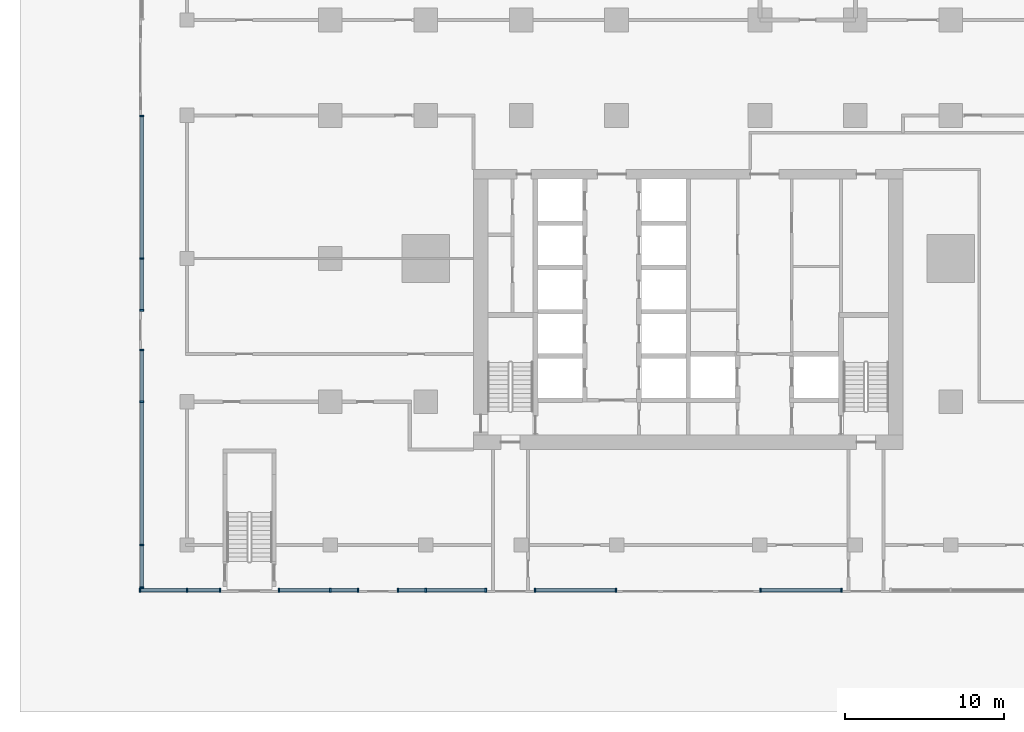
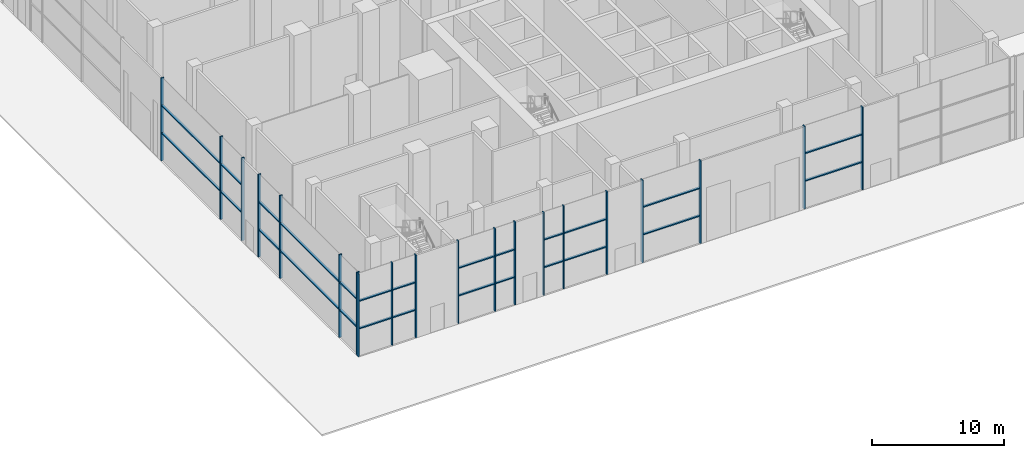
# One storey, part 2 of 29: 46 members, 7 elements without a shape of their own.
"""IFC4 building model written with IfcOpenShell, lengths in metres."""

from ifc_helpers import new_model, si_unit, direction, frame, origin, origin_2d, place, context, subcontext, project, spatial, rectangle, extrude, material, material_profile, profile_set, type_object, element, aggregate, save


model = new_model("IFC4")

# Units and contexts
model_context = context("Model", 3, precision=1e-05, world=origin(), true_north=direction((0.0, 1.0)))
body_context = subcontext(model_context, "Body", "Model", "MODEL_VIEW")
ifc_project = project(units=[si_unit("LENGTHUNIT", "METRE"), si_unit("AREAUNIT", "SQUARE_METRE"), si_unit("VOLUMEUNIT", "CUBIC_METRE"), si_unit("PLANEANGLEUNIT", "RADIAN"), si_unit("MASSUNIT", "GRAM", prefix="KILO")], contexts=[model_context])

# Site, building, storey
site_placement = place(None, origin())
site = spatial("IfcSite", under=ifc_project, at=site_placement, CompositionType="ELEMENT")
building_placement = place(site_placement, origin())
building = spatial("IfcBuilding", under=site, at=building_placement, Name="Finial Court Residences", CompositionType="ELEMENT")
storey_placement = place(building_placement, origin())
storey = spatial("IfcBuildingStorey", under=building, at=storey_placement, Name="L00", CompositionType="ELEMENT", Elevation=0.0)

# Curtain wall, members
ifc_material = material(Name="Bronze anodised aluminium", Category="aluminium")
curtain_wall_type = type_object("IfcCurtainWallType", Name="Podium shopfront", PredefinedType="NOTDEFINED", material=ifc_material)
curtain_wall_1_placement = place(storey_placement, origin())
curtain_wall_1 = element("IfcCurtainWall", 1, at=curtain_wall_1_placement, inside=storey, type_object=curtain_wall_type, Name="E-L00-CW-S17", PredefinedType="NOTDEFINED")
ifc_material_profile_1 = material_profile(ifc_material, rectangle(XDim=0.25, YDim=0.10009765625, at=origin_2d()), Name="CW4 mullion 100 x 250")
ifc_profile_set_1 = profile_set([ifc_material_profile_1], Name="Bronze anodised aluminium")
member_type_1 = type_object("IfcMemberType", Name="CW4 mullion 100 x 250", PredefinedType="MULLION", material=ifc_profile_set_1)
member_1_placement = place(storey_placement, frame((-34.449951171875, -34.35009765625, 0.0), z_axis=(0.0, 0.0, 1.0), x_axis=(0.0, 1.0, 0.0)))
member_1 = element("IfcMember", 2, at=member_1_placement, type_object=member_type_1, Name="CW4 mullion 1", PredefinedType="MULLION", context=body_context, shape_type="SweptSolid", body=[
    extrude(rectangle(XDim=0.25, YDim=0.10009765625, at=origin_2d()), origin(), (0.0, 0.0, 1.0), 7.64990234375),
])
member_2_placement = place(storey_placement, frame((-31.5, -34.35009765625, 0.0), z_axis=(0.0, 0.0, 1.0), x_axis=(0.0, 1.0, 0.0)))
member_2 = element("IfcMember", 3, at=member_2_placement, type_object=member_type_1, Name="CW4 mullion 2", PredefinedType="MULLION", context=body_context, shape_type="SweptSolid", body=[
    extrude(rectangle(XDim=0.25, YDim=0.10009765625, at=origin_2d()), origin(), (0.0, 0.0, 1.0), 7.64990234375),
])
member_3_placement = place(storey_placement, frame((-29.425048828125, -34.35009765625, 0.0), z_axis=(0.0, 0.0, 1.0), x_axis=(0.0, 1.0, 0.0)))
member_3 = element("IfcMember", 4, at=member_3_placement, type_object=member_type_1, Name="CW4 mullion 3", PredefinedType="MULLION", context=body_context, shape_type="SweptSolid", body=[
    extrude(rectangle(XDim=0.25, YDim=0.10009765625, at=origin_2d()), origin(), (0.0, 0.0, 1.0), 7.64990234375),
])

curtain_wall_2_placement = place(storey_placement, origin())
curtain_wall_2 = element("IfcCurtainWall", 5, at=curtain_wall_2_placement, inside=storey, type_object=curtain_wall_type, Name="E-L00-CW-S18", PredefinedType="NOTDEFINED")
member_4_placement = place(storey_placement, frame((-25.72509765625, -34.35009765625, 0.0), z_axis=(0.0, 0.0, 1.0), x_axis=(0.0, 1.0, 0.0)))
member_4 = element("IfcMember", 6, at=member_4_placement, type_object=member_type_1, Name="CW4 mullion 1", PredefinedType="MULLION", context=body_context, shape_type="SweptSolid", body=[
    extrude(rectangle(XDim=0.25, YDim=0.10009765625, at=origin_2d()), origin(), (0.0, 0.0, 1.0), 7.64990234375),
])
member_5_placement = place(storey_placement, frame((-22.5, -34.35009765625, 0.0), z_axis=(0.0, 0.0, 1.0), x_axis=(0.0, 1.0, 0.0)))
member_5 = element("IfcMember", 7, at=member_5_placement, type_object=member_type_1, Name="CW4 mullion 2", PredefinedType="MULLION", context=body_context, shape_type="SweptSolid", body=[
    extrude(rectangle(XDim=0.25, YDim=0.10009765625, at=origin_2d()), origin(), (0.0, 0.0, 1.0), 7.64990234375),
])
member_6_placement = place(storey_placement, frame((-20.75, -34.35009765625, 0.0), z_axis=(0.0, 0.0, 1.0), x_axis=(0.0, 1.0, 0.0)))
member_6 = element("IfcMember", 8, at=member_6_placement, type_object=member_type_1, Name="CW4 mullion 3", PredefinedType="MULLION", context=body_context, shape_type="SweptSolid", body=[
    extrude(rectangle(XDim=0.25, YDim=0.10009765625, at=origin_2d()), origin(), (0.0, 0.0, 1.0), 7.64990234375),
])

curtain_wall_3_placement = place(storey_placement, origin())
curtain_wall_3 = element("IfcCurtainWall", 9, at=curtain_wall_3_placement, inside=storey, type_object=curtain_wall_type, Name="E-L00-CW-S19", PredefinedType="NOTDEFINED")
member_7_placement = place(storey_placement, frame((-18.25, -34.35009765625, 0.0), z_axis=(0.0, 0.0, 1.0), x_axis=(0.0, 1.0, 0.0)))
member_7 = element("IfcMember", 10, at=member_7_placement, type_object=member_type_1, Name="CW4 mullion 1", PredefinedType="MULLION", context=body_context, shape_type="SweptSolid", body=[
    extrude(rectangle(XDim=0.25, YDim=0.10009765625, at=origin_2d()), origin(), (0.0, 0.0, 1.0), 7.64990234375),
])
member_8_placement = place(storey_placement, frame((-16.5, -34.35009765625, 0.0), z_axis=(0.0, 0.0, 1.0), x_axis=(0.0, 1.0, 0.0)))
member_8 = element("IfcMember", 11, at=member_8_placement, type_object=member_type_1, Name="CW4 mullion 2", PredefinedType="MULLION", context=body_context, shape_type="SweptSolid", body=[
    extrude(rectangle(XDim=0.25, YDim=0.10009765625, at=origin_2d()), origin(), (0.0, 0.0, 1.0), 7.64990234375),
])
member_9_placement = place(storey_placement, frame((-12.72509765625, -34.35009765625, 0.0), z_axis=(0.0, 0.0, 1.0), x_axis=(0.0, 1.0, 0.0)))
member_9 = element("IfcMember", 12, at=member_9_placement, type_object=member_type_1, Name="CW4 mullion 3", PredefinedType="MULLION", context=body_context, shape_type="SweptSolid", body=[
    extrude(rectangle(XDim=0.25, YDim=0.10009765625, at=origin_2d()), origin(), (0.0, 0.0, 1.0), 7.64990234375),
])

curtain_wall_4_placement = place(storey_placement, origin())
curtain_wall_4 = element("IfcCurtainWall", 13, at=curtain_wall_4_placement, inside=storey, type_object=curtain_wall_type, Name="E-L00-CW-S20", PredefinedType="NOTDEFINED")
member_10_placement = place(storey_placement, frame((-9.625, -34.35009765625, 0.0), z_axis=(0.0, 0.0, 1.0), x_axis=(0.0, 1.0, 0.0)))
member_10 = element("IfcMember", 14, at=member_10_placement, type_object=member_type_1, Name="CW4 mullion 1", PredefinedType="MULLION", context=body_context, shape_type="SweptSolid", body=[
    extrude(rectangle(XDim=0.25, YDim=0.10009765625, at=origin_2d()), origin(), (0.0, 0.0, 1.0), 7.64990234375),
])
member_11_placement = place(storey_placement, frame((-4.550048828125, -34.35009765625, 0.0), z_axis=(0.0, 0.0, 1.0), x_axis=(0.0, 1.0, 0.0)))
member_11 = element("IfcMember", 15, at=member_11_placement, type_object=member_type_1, Name="CW4 mullion 2", PredefinedType="MULLION", context=body_context, shape_type="SweptSolid", body=[
    extrude(rectangle(XDim=0.25, YDim=0.10009765625, at=origin_2d()), origin(), (0.0, 0.0, 1.0), 7.64990234375),
])

curtain_wall_5_placement = place(storey_placement, origin())
curtain_wall_5 = element("IfcCurtainWall", 16, at=curtain_wall_5_placement, inside=storey, type_object=curtain_wall_type, Name="E-L00-CW-S21", PredefinedType="NOTDEFINED")
member_12_placement = place(storey_placement, frame((4.550048828125, -34.35009765625, 0.0), z_axis=(0.0, 0.0, 1.0), x_axis=(0.0, 1.0, 0.0)))
member_12 = element("IfcMember", 17, at=member_12_placement, type_object=member_type_1, Name="CW4 mullion 1", PredefinedType="MULLION", context=body_context, shape_type="SweptSolid", body=[
    extrude(rectangle(XDim=0.25, YDim=0.10009765625, at=origin_2d()), origin(), (0.0, 0.0, 1.0), 7.64990234375),
])
member_13_placement = place(storey_placement, frame((9.625, -34.35009765625, 0.0), z_axis=(0.0, 0.0, 1.0), x_axis=(0.0, 1.0, 0.0)))
member_13 = element("IfcMember", 18, at=member_13_placement, type_object=member_type_1, Name="CW4 mullion 2", PredefinedType="MULLION", context=body_context, shape_type="SweptSolid", body=[
    extrude(rectangle(XDim=0.25, YDim=0.10009765625, at=origin_2d()), origin(), (0.0, 0.0, 1.0), 7.64990234375),
])

curtain_wall_6_placement = place(storey_placement, origin())
curtain_wall_6 = element("IfcCurtainWall", 19, at=curtain_wall_6_placement, inside=storey, type_object=curtain_wall_type, Name="E-L00-CW-W27", PredefinedType="NOTDEFINED")
member_14_placement = place(storey_placement, frame((-34.35009765625, -34.175048828125, 0.0), z_axis=(0.0, 0.0, 1.0), x_axis=(-1.0, 0.0, 0.0)))
member_14 = element("IfcMember", 20, at=member_14_placement, type_object=member_type_1, Name="CW4 mullion 1", PredefinedType="MULLION", context=body_context, shape_type="SweptSolid", body=[
    extrude(rectangle(XDim=0.25, YDim=0.10009765625, at=origin_2d()), origin(), (0.0, 0.0, 1.0), 7.64990234375),
])
member_15_placement = place(storey_placement, frame((-34.35009765625, -31.5, 0.0), z_axis=(0.0, 0.0, 1.0), x_axis=(-1.0, 0.0, 0.0)))
member_15 = element("IfcMember", 21, at=member_15_placement, type_object=member_type_1, Name="CW4 mullion 2", PredefinedType="MULLION", context=body_context, shape_type="SweptSolid", body=[
    extrude(rectangle(XDim=0.25, YDim=0.10009765625, at=origin_2d()), origin(), (0.0, 0.0, 1.0), 7.64990234375),
])
member_16_placement = place(storey_placement, frame((-34.35009765625, -22.5, 0.0), z_axis=(0.0, 0.0, 1.0), x_axis=(-1.0, 0.0, 0.0)))
member_16 = element("IfcMember", 22, at=member_16_placement, type_object=member_type_1, Name="CW4 mullion 3", PredefinedType="MULLION", context=body_context, shape_type="SweptSolid", body=[
    extrude(rectangle(XDim=0.25, YDim=0.10009765625, at=origin_2d()), origin(), (0.0, 0.0, 1.0), 7.64990234375),
])
member_17_placement = place(storey_placement, frame((-34.35009765625, -19.25, 0.0), z_axis=(0.0, 0.0, 1.0), x_axis=(-1.0, 0.0, 0.0)))
member_17 = element("IfcMember", 23, at=member_17_placement, type_object=member_type_1, Name="CW4 mullion 4", PredefinedType="MULLION", context=body_context, shape_type="SweptSolid", body=[
    extrude(rectangle(XDim=0.25, YDim=0.10009765625, at=origin_2d()), origin(), (0.0, 0.0, 1.0), 7.64990234375),
])

curtain_wall_7_placement = place(storey_placement, origin())
curtain_wall_7 = element("IfcCurtainWall", 24, at=curtain_wall_7_placement, inside=storey, type_object=curtain_wall_type, Name="E-L00-CW-W28", PredefinedType="NOTDEFINED")
member_18_placement = place(storey_placement, frame((-34.35009765625, -16.75, 0.0), z_axis=(0.0, 0.0, 1.0), x_axis=(-1.0, 0.0, 0.0)))
member_18 = element("IfcMember", 25, at=member_18_placement, type_object=member_type_1, Name="CW4 mullion 1", PredefinedType="MULLION", context=body_context, shape_type="SweptSolid", body=[
    extrude(rectangle(XDim=0.25, YDim=0.10009765625, at=origin_2d()), origin(), (0.0, 0.0, 1.0), 7.64990234375),
])
member_19_placement = place(storey_placement, frame((-34.35009765625, -13.5, 0.0), z_axis=(0.0, 0.0, 1.0), x_axis=(-1.0, 0.0, 0.0)))
member_19 = element("IfcMember", 26, at=member_19_placement, type_object=member_type_1, Name="CW4 mullion 2", PredefinedType="MULLION", context=body_context, shape_type="SweptSolid", body=[
    extrude(rectangle(XDim=0.25, YDim=0.10009765625, at=origin_2d()), origin(), (0.0, 0.0, 1.0), 7.64990234375),
])
member_20_placement = place(storey_placement, frame((-34.35009765625, -4.550048828125, 0.0), z_axis=(0.0, 0.0, 1.0), x_axis=(-1.0, 0.0, 0.0)))
member_20 = element("IfcMember", 27, at=member_20_placement, type_object=member_type_1, Name="CW4 mullion 3", PredefinedType="MULLION", context=body_context, shape_type="SweptSolid", body=[
    extrude(rectangle(XDim=0.25, YDim=0.10009765625, at=origin_2d()), origin(), (0.0, 0.0, 1.0), 7.64990234375),
])

# Member
ifc_material_profile_2 = material_profile(ifc_material, rectangle(XDim=0.199951171875, YDim=0.10009765625, at=origin_2d()), Name="CW4 transom 100 x 200")
ifc_profile_set_2 = profile_set([ifc_material_profile_2], Name="Bronze anodised aluminium")
member_type_2 = type_object("IfcMemberType", Name="CW4 transom 100 x 200", PredefinedType="USERDEFINED", material=ifc_profile_set_2)
member_21_placement = place(storey_placement, frame((-34.39990234375, -34.35009765625, 2.550048828125), z_axis=(1.0, 0.0, 0.0), x_axis=(0.0, 1.0, 0.0)))
member_21 = element("IfcMember", 28, at=member_21_placement, type_object=member_type_2, Name="CW4 transom 1.1", ObjectType="TRANSOM", PredefinedType="USERDEFINED", context=body_context, shape_type="SweptSolid", body=[
    extrude(rectangle(XDim=0.199951171875, YDim=0.10009765625, at=origin_2d()), origin(), (0.0, 0.0, 1.0), 2.849853515625),
])

member_22_placement = place(storey_placement, frame((-34.39990234375, -34.35009765625, 5.10009765625), z_axis=(1.0, 0.0, 0.0), x_axis=(0.0, 1.0, 0.0)))
member_22 = element("IfcMember", 29, at=member_22_placement, type_object=member_type_2, Name="CW4 transom 1.2", ObjectType="TRANSOM", PredefinedType="USERDEFINED", context=body_context, shape_type="SweptSolid", body=[
    extrude(rectangle(XDim=0.199951171875, YDim=0.10009765625, at=origin_2d()), origin(), (0.0, 0.0, 1.0), 2.849853515625),
])

member_23_placement = place(storey_placement, frame((-31.449951171875, -34.35009765625, 2.550048828125), z_axis=(1.0, 0.0, 0.0), x_axis=(0.0, 1.0, 0.0)))
member_23 = element("IfcMember", 30, at=member_23_placement, type_object=member_type_2, Name="CW4 transom 2.1", ObjectType="TRANSOM", PredefinedType="USERDEFINED", context=body_context, shape_type="SweptSolid", body=[
    extrude(rectangle(XDim=0.199951171875, YDim=0.10009765625, at=origin_2d()), origin(), (0.0, 0.0, 1.0), 1.974853515625),
])

member_24_placement = place(storey_placement, frame((-31.449951171875, -34.35009765625, 5.10009765625), z_axis=(1.0, 0.0, 0.0), x_axis=(0.0, 1.0, 0.0)))
member_24 = element("IfcMember", 31, at=member_24_placement, type_object=member_type_2, Name="CW4 transom 2.2", ObjectType="TRANSOM", PredefinedType="USERDEFINED", context=body_context, shape_type="SweptSolid", body=[
    extrude(rectangle(XDim=0.199951171875, YDim=0.10009765625, at=origin_2d()), origin(), (0.0, 0.0, 1.0), 1.974853515625),
])

aggregate(curtain_wall_1, [member_1, member_2, member_3, member_21, member_22, member_23, member_24])

member_25_placement = place(storey_placement, frame((-25.675048828125, -34.35009765625, 2.550048828125), z_axis=(1.0, 0.0, 0.0), x_axis=(0.0, 1.0, 0.0)))
member_25 = element("IfcMember", 32, at=member_25_placement, type_object=member_type_2, Name="CW4 transom 1.1", ObjectType="TRANSOM", PredefinedType="USERDEFINED", context=body_context, shape_type="SweptSolid", body=[
    extrude(rectangle(XDim=0.199951171875, YDim=0.10009765625, at=origin_2d()), origin(), (0.0, 0.0, 1.0), 3.125),
])

member_26_placement = place(storey_placement, frame((-25.675048828125, -34.35009765625, 5.10009765625), z_axis=(1.0, 0.0, 0.0), x_axis=(0.0, 1.0, 0.0)))
member_26 = element("IfcMember", 33, at=member_26_placement, type_object=member_type_2, Name="CW4 transom 1.2", ObjectType="TRANSOM", PredefinedType="USERDEFINED", context=body_context, shape_type="SweptSolid", body=[
    extrude(rectangle(XDim=0.199951171875, YDim=0.10009765625, at=origin_2d()), origin(), (0.0, 0.0, 1.0), 3.125),
])

member_27_placement = place(storey_placement, frame((-22.449951171875, -34.35009765625, 2.550048828125), z_axis=(1.0, 0.0, 0.0), x_axis=(0.0, 1.0, 0.0)))
member_27 = element("IfcMember", 34, at=member_27_placement, type_object=member_type_2, Name="CW4 transom 2.1", ObjectType="TRANSOM", PredefinedType="USERDEFINED", context=body_context, shape_type="SweptSolid", body=[
    extrude(rectangle(XDim=0.199951171875, YDim=0.10009765625, at=origin_2d()), origin(), (0.0, 0.0, 1.0), 1.64990234375),
])

member_28_placement = place(storey_placement, frame((-22.449951171875, -34.35009765625, 5.10009765625), z_axis=(1.0, 0.0, 0.0), x_axis=(0.0, 1.0, 0.0)))
member_28 = element("IfcMember", 35, at=member_28_placement, type_object=member_type_2, Name="CW4 transom 2.2", ObjectType="TRANSOM", PredefinedType="USERDEFINED", context=body_context, shape_type="SweptSolid", body=[
    extrude(rectangle(XDim=0.199951171875, YDim=0.10009765625, at=origin_2d()), origin(), (0.0, 0.0, 1.0), 1.64990234375),
])

aggregate(curtain_wall_2, [member_4, member_5, member_6, member_25, member_26, member_27, member_28])

member_29_placement = place(storey_placement, frame((-18.199951171875, -34.35009765625, 2.550048828125), z_axis=(1.0, 0.0, 0.0), x_axis=(0.0, 1.0, 0.0)))
member_29 = element("IfcMember", 36, at=member_29_placement, type_object=member_type_2, Name="CW4 transom 1.1", ObjectType="TRANSOM", PredefinedType="USERDEFINED", context=body_context, shape_type="SweptSolid", body=[
    extrude(rectangle(XDim=0.199951171875, YDim=0.10009765625, at=origin_2d()), origin(), (0.0, 0.0, 1.0), 1.64990234375),
])

member_30_placement = place(storey_placement, frame((-18.199951171875, -34.35009765625, 5.10009765625), z_axis=(1.0, 0.0, 0.0), x_axis=(0.0, 1.0, 0.0)))
member_30 = element("IfcMember", 37, at=member_30_placement, type_object=member_type_2, Name="CW4 transom 1.2", ObjectType="TRANSOM", PredefinedType="USERDEFINED", context=body_context, shape_type="SweptSolid", body=[
    extrude(rectangle(XDim=0.199951171875, YDim=0.10009765625, at=origin_2d()), origin(), (0.0, 0.0, 1.0), 1.64990234375),
])

member_31_placement = place(storey_placement, frame((-16.449951171875, -34.35009765625, 2.550048828125), z_axis=(1.0, 0.0, 0.0), x_axis=(0.0, 1.0, 0.0)))
member_31 = element("IfcMember", 38, at=member_31_placement, type_object=member_type_2, Name="CW4 transom 2.1", ObjectType="TRANSOM", PredefinedType="USERDEFINED", context=body_context, shape_type="SweptSolid", body=[
    extrude(rectangle(XDim=0.199951171875, YDim=0.10009765625, at=origin_2d()), origin(), (0.0, 0.0, 1.0), 3.675048828125),
])

member_32_placement = place(storey_placement, frame((-16.449951171875, -34.35009765625, 5.10009765625), z_axis=(1.0, 0.0, 0.0), x_axis=(0.0, 1.0, 0.0)))
member_32 = element("IfcMember", 39, at=member_32_placement, type_object=member_type_2, Name="CW4 transom 2.2", ObjectType="TRANSOM", PredefinedType="USERDEFINED", context=body_context, shape_type="SweptSolid", body=[
    extrude(rectangle(XDim=0.199951171875, YDim=0.10009765625, at=origin_2d()), origin(), (0.0, 0.0, 1.0), 3.675048828125),
])

aggregate(curtain_wall_3, [member_7, member_8, member_9, member_29, member_30, member_31, member_32])

member_33_placement = place(storey_placement, frame((-9.574951171875, -34.35009765625, 2.550048828125), z_axis=(1.0, 0.0, 0.0), x_axis=(0.0, 1.0, 0.0)))
member_33 = element("IfcMember", 40, at=member_33_placement, type_object=member_type_2, Name="CW4 transom 1.1", ObjectType="TRANSOM", PredefinedType="USERDEFINED", context=body_context, shape_type="SweptSolid", body=[
    extrude(rectangle(XDim=0.199951171875, YDim=0.10009765625, at=origin_2d()), origin(), (0.0, 0.0, 1.0), 4.974853515625),
])

member_34_placement = place(storey_placement, frame((-9.574951171875, -34.35009765625, 5.10009765625), z_axis=(1.0, 0.0, 0.0), x_axis=(0.0, 1.0, 0.0)))
member_34 = element("IfcMember", 41, at=member_34_placement, type_object=member_type_2, Name="CW4 transom 1.2", ObjectType="TRANSOM", PredefinedType="USERDEFINED", context=body_context, shape_type="SweptSolid", body=[
    extrude(rectangle(XDim=0.199951171875, YDim=0.10009765625, at=origin_2d()), origin(), (0.0, 0.0, 1.0), 4.974853515625),
])

aggregate(curtain_wall_4, [member_10, member_11, member_33, member_34])

member_35_placement = place(storey_placement, frame((4.60009765625, -34.35009765625, 2.550048828125), z_axis=(1.0, 0.0, 0.0), x_axis=(0.0, 1.0, 0.0)))
member_35 = element("IfcMember", 42, at=member_35_placement, type_object=member_type_2, Name="CW4 transom 1.1", ObjectType="TRANSOM", PredefinedType="USERDEFINED", context=body_context, shape_type="SweptSolid", body=[
    extrude(rectangle(XDim=0.199951171875, YDim=0.10009765625, at=origin_2d()), origin(), (0.0, 0.0, 1.0), 4.974853515625),
])

member_36_placement = place(storey_placement, frame((4.60009765625, -34.35009765625, 5.10009765625), z_axis=(1.0, 0.0, 0.0), x_axis=(0.0, 1.0, 0.0)))
member_36 = element("IfcMember", 43, at=member_36_placement, type_object=member_type_2, Name="CW4 transom 1.2", ObjectType="TRANSOM", PredefinedType="USERDEFINED", context=body_context, shape_type="SweptSolid", body=[
    extrude(rectangle(XDim=0.199951171875, YDim=0.10009765625, at=origin_2d()), origin(), (0.0, 0.0, 1.0), 4.974853515625),
])

aggregate(curtain_wall_5, [member_12, member_13, member_35, member_36])

member_37_placement = place(storey_placement, frame((-34.35009765625, -34.125, 2.550048828125), z_axis=(0.0, 1.0, 0.0), x_axis=(-1.0, 0.0, 0.0)))
member_37 = element("IfcMember", 44, at=member_37_placement, type_object=member_type_2, Name="CW4 transom 1.1", ObjectType="TRANSOM", PredefinedType="USERDEFINED", context=body_context, shape_type="SweptSolid", body=[
    extrude(rectangle(XDim=0.199951171875, YDim=0.10009765625, at=origin_2d()), origin(), (0.0, 0.0, 1.0), 2.574951171875),
])

member_38_placement = place(storey_placement, frame((-34.35009765625, -34.125, 5.10009765625), z_axis=(0.0, 1.0, 0.0), x_axis=(-1.0, 0.0, 0.0)))
member_38 = element("IfcMember", 45, at=member_38_placement, type_object=member_type_2, Name="CW4 transom 1.2", ObjectType="TRANSOM", PredefinedType="USERDEFINED", context=body_context, shape_type="SweptSolid", body=[
    extrude(rectangle(XDim=0.199951171875, YDim=0.10009765625, at=origin_2d()), origin(), (0.0, 0.0, 1.0), 2.574951171875),
])

member_39_placement = place(storey_placement, frame((-34.35009765625, -31.449951171875, 2.550048828125), z_axis=(0.0, 1.0, 0.0), x_axis=(-1.0, 0.0, 0.0)))
member_39 = element("IfcMember", 46, at=member_39_placement, type_object=member_type_2, Name="CW4 transom 2.1", ObjectType="TRANSOM", PredefinedType="USERDEFINED", context=body_context, shape_type="SweptSolid", body=[
    extrude(rectangle(XDim=0.199951171875, YDim=0.10009765625, at=origin_2d()), origin(), (0.0, 0.0, 1.0), 8.89990234375),
])

member_40_placement = place(storey_placement, frame((-34.35009765625, -31.449951171875, 5.10009765625), z_axis=(0.0, 1.0, 0.0), x_axis=(-1.0, 0.0, 0.0)))
member_40 = element("IfcMember", 47, at=member_40_placement, type_object=member_type_2, Name="CW4 transom 2.2", ObjectType="TRANSOM", PredefinedType="USERDEFINED", context=body_context, shape_type="SweptSolid", body=[
    extrude(rectangle(XDim=0.199951171875, YDim=0.10009765625, at=origin_2d()), origin(), (0.0, 0.0, 1.0), 8.89990234375),
])

member_41_placement = place(storey_placement, frame((-34.35009765625, -22.449951171875, 2.550048828125), z_axis=(0.0, 1.0, 0.0), x_axis=(-1.0, 0.0, 0.0)))
member_41 = element("IfcMember", 48, at=member_41_placement, type_object=member_type_2, Name="CW4 transom 3.1", ObjectType="TRANSOM", PredefinedType="USERDEFINED", context=body_context, shape_type="SweptSolid", body=[
    extrude(rectangle(XDim=0.199951171875, YDim=0.10009765625, at=origin_2d()), origin(), (0.0, 0.0, 1.0), 3.14990234375),
])

member_42_placement = place(storey_placement, frame((-34.35009765625, -22.449951171875, 5.10009765625), z_axis=(0.0, 1.0, 0.0), x_axis=(-1.0, 0.0, 0.0)))
member_42 = element("IfcMember", 49, at=member_42_placement, type_object=member_type_2, Name="CW4 transom 3.2", ObjectType="TRANSOM", PredefinedType="USERDEFINED", context=body_context, shape_type="SweptSolid", body=[
    extrude(rectangle(XDim=0.199951171875, YDim=0.10009765625, at=origin_2d()), origin(), (0.0, 0.0, 1.0), 3.14990234375),
])

aggregate(curtain_wall_6, [member_14, member_15, member_16, member_17, member_37, member_38, member_39, member_40, member_41, member_42])

member_43_placement = place(storey_placement, frame((-34.35009765625, -16.699951171875, 2.550048828125), z_axis=(0.0, 1.0, 0.0), x_axis=(-1.0, 0.0, 0.0)))
member_43 = element("IfcMember", 50, at=member_43_placement, type_object=member_type_2, Name="CW4 transom 1.1", ObjectType="TRANSOM", PredefinedType="USERDEFINED", context=body_context, shape_type="SweptSolid", body=[
    extrude(rectangle(XDim=0.199951171875, YDim=0.10009765625, at=origin_2d()), origin(), (0.0, 0.0, 1.0), 3.14990234375),
])

member_44_placement = place(storey_placement, frame((-34.35009765625, -16.699951171875, 5.10009765625), z_axis=(0.0, 1.0, 0.0), x_axis=(-1.0, 0.0, 0.0)))
member_44 = element("IfcMember", 51, at=member_44_placement, type_object=member_type_2, Name="CW4 transom 1.2", ObjectType="TRANSOM", PredefinedType="USERDEFINED", context=body_context, shape_type="SweptSolid", body=[
    extrude(rectangle(XDim=0.199951171875, YDim=0.10009765625, at=origin_2d()), origin(), (0.0, 0.0, 1.0), 3.14990234375),
])

member_45_placement = place(storey_placement, frame((-34.35009765625, -13.449951171875, 2.550048828125), z_axis=(0.0, 1.0, 0.0), x_axis=(-1.0, 0.0, 0.0)))
member_45 = element("IfcMember", 52, at=member_45_placement, type_object=member_type_2, Name="CW4 transom 2.1", ObjectType="TRANSOM", PredefinedType="USERDEFINED", context=body_context, shape_type="SweptSolid", body=[
    extrude(rectangle(XDim=0.199951171875, YDim=0.10009765625, at=origin_2d()), origin(), (0.0, 0.0, 1.0), 8.849853515625),
])

member_46_placement = place(storey_placement, frame((-34.35009765625, -13.449951171875, 5.10009765625), z_axis=(0.0, 1.0, 0.0), x_axis=(-1.0, 0.0, 0.0)))
member_46 = element("IfcMember", 53, at=member_46_placement, type_object=member_type_2, Name="CW4 transom 2.2", ObjectType="TRANSOM", PredefinedType="USERDEFINED", context=body_context, shape_type="SweptSolid", body=[
    extrude(rectangle(XDim=0.199951171875, YDim=0.10009765625, at=origin_2d()), origin(), (0.0, 0.0, 1.0), 8.849853515625),
])

aggregate(curtain_wall_7, [member_18, member_19, member_20, member_43, member_44, member_45, member_46])

save(model, "model.ifc")
